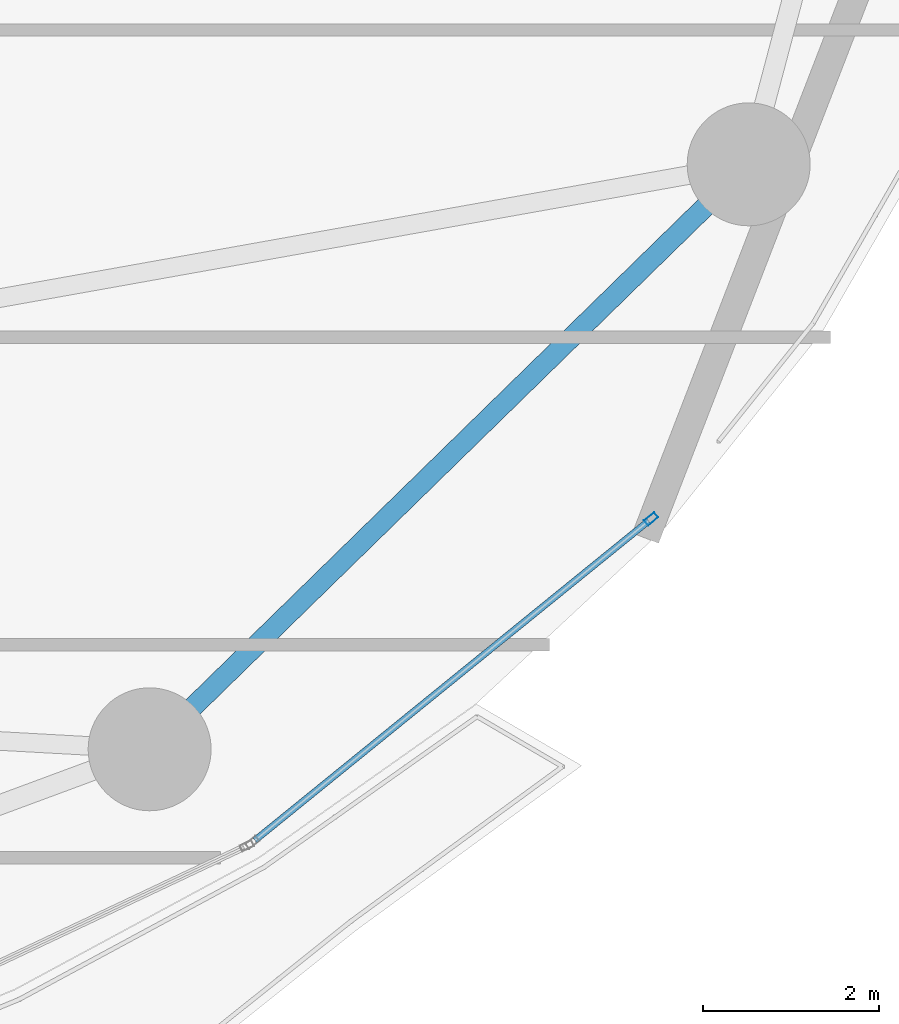
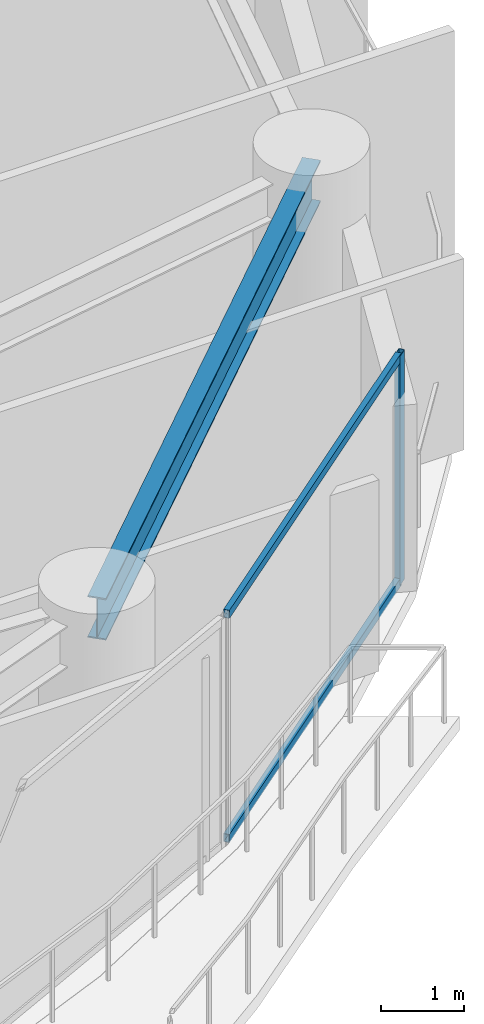
# One storey, part 15 of 31: 3 members, 1 beam, 1 element without a shape of its own.
"""IFC4 building model written with IfcOpenShell, lengths in metres."""

from ifc_helpers import new_model, si_unit, direction, frame, origin, origin_2d, place, context, subcontext, project, spatial, hollow_rectangle, i_section, extrude, material, layer, layer_set, material_profile, profile_set, type_object, element, aggregate, save


model = new_model("IFC4")

# Units and contexts
model_context = context("Model", 3, precision=1e-05, world=origin(), true_north=direction((0.0, 1.0)))
body_context = subcontext(model_context, "Body", "Model", "MODEL_VIEW")
ifc_project = project(units=[si_unit("LENGTHUNIT", "METRE"), si_unit("AREAUNIT", "SQUARE_METRE"), si_unit("VOLUMEUNIT", "CUBIC_METRE"), si_unit("PLANEANGLEUNIT", "RADIAN"), si_unit("MASSUNIT", "GRAM", prefix="KILO")], contexts=[model_context])

# Site, building, storey
site_placement = place(None, origin())
site = spatial("IfcSite", under=ifc_project, at=site_placement, CompositionType="ELEMENT")
building_placement = place(site_placement, origin())
building = spatial("IfcBuilding", under=site, at=building_placement, Name="Kazevale Care Tower and Concert Hall", CompositionType="ELEMENT")
storey_placement = place(building_placement, frame((0.0, 0.0, 78.0)))
storey = spatial("IfcBuildingStorey", under=building, at=storey_placement, Name="L20", CompositionType="ELEMENT", Elevation=78.0)

# Curtain wall, members
ifc_material_1 = material(Name="Aluminium 6063-T6 and Low-E Glass", Category="aluminium")
ifc_layer = layer(ifc_material_1, 0.179931640625)
ifc_layer_set = layer_set([ifc_layer], Name="Aluminium 6063-T6 and Low-E Glass")
curtain_wall_type = type_object("IfcCurtainWallType", Name="Sheltered Concave Balcony Curtain Wall CW-5", PredefinedType="NOTDEFINED", material=ifc_layer_set)
curtain_wall_placement = place(storey_placement, origin())
curtain_wall = element("IfcCurtainWall", 1, at=curtain_wall_placement, inside=storey, type_object=curtain_wall_type, Name="cw:L20:f02", PredefinedType="NOTDEFINED")
ifc_material_2 = material(Name="Aluminium 6063-T6", Category="aluminium")
ifc_material_profile_1 = material_profile(ifc_material_2, hollow_rectangle(XDim=0.074951171875, YDim=0.14990234375, WallThickness=0.00390625, at=origin_2d()), Name="ALU75x150x4")
ifc_profile_set_1 = profile_set([ifc_material_profile_1], Name="Aluminium 6063-T6")
member_type_1 = type_object("IfcMemberType", Name="CW-5 Mullion ALU75x150x4", PredefinedType="MULLION", material=ifc_profile_set_1)
member_1_placement = place(storey_placement, frame((72.949951171875, 24.933349609375, 0.0), z_axis=(0.0, 0.0, 1.0), x_axis=(0.629994732952, -0.77659940539, 0.0)))
member_1 = element("IfcMember", 2, at=member_1_placement, type_object=member_type_1, Name="CW-5 mullion 1", PredefinedType="MULLION", context=body_context, shape_type="SweptSolid", body=[
    extrude(hollow_rectangle(XDim=0.074951171875, YDim=0.14990234375, WallThickness=0.00390625, at=origin_2d()), origin(), (0.0, 0.0, 1.0), 3.360107421875),
])
ifc_material_profile_2 = material_profile(ifc_material_2, hollow_rectangle(XDim=0.074951171875, YDim=0.1201171875, WallThickness=0.00390625, at=origin_2d()), Name="ALU75x120x4")
ifc_profile_set_2 = profile_set([ifc_material_profile_2], Name="Aluminium 6063-T6")
member_type_2 = type_object("IfcMemberType", Name="CW-5 Transom ALU75x120x4", PredefinedType="USERDEFINED", material=ifc_profile_set_2)
member_2_placement = place(storey_placement, frame((72.920654296875, 24.90966796875, 0.03759765625), z_axis=(-0.77659518273, -0.629999938223, 0.0), x_axis=(0.629999938223, -0.77659518273, 0.0)))
member_2 = element("IfcMember", 3, at=member_2_placement, type_object=member_type_2, Name="CW-5 transom 1.1", ObjectType="TRANSOM", PredefinedType="USERDEFINED", context=body_context, shape_type="SweptSolid", body=[
    extrude(hollow_rectangle(XDim=0.074951171875, YDim=0.1201171875, WallThickness=0.00390625, at=origin_2d()), origin(), (0.0, 0.0, 1.0), 5.770751953125),
])
member_3_placement = place(storey_placement, frame((72.920654296875, 24.90966796875, 3.322509765625), z_axis=(-0.77659518273, -0.629999938223, 0.0), x_axis=(0.629999938223, -0.77659518273, 0.0)))
member_3 = element("IfcMember", 4, at=member_3_placement, type_object=member_type_2, Name="CW-5 transom 1.2", ObjectType="TRANSOM", PredefinedType="USERDEFINED", context=body_context, shape_type="SweptSolid", body=[
    extrude(hollow_rectangle(XDim=0.074951171875, YDim=0.1201171875, WallThickness=0.00390625, at=origin_2d()), origin(), (0.0, 0.0, 1.0), 5.770751953125),
])
aggregate(curtain_wall, [member_1, member_2, member_3])

# Beam
ifc_material_3 = material(Name="Steel ASTM A572 Gr 50", Category="steel")
ifc_material_profile_3 = material_profile(ifc_material_3, i_section(OverallWidth=0.22900390625, OverallDepth=0.612060546875, WebThickness=0.011962890625, FlangeThickness=0.01953125, at=origin_2d()), Name="W610x125")
ifc_profile_set_3 = profile_set([ifc_material_profile_3], Name="Steel ASTM A572 Gr 50")
beam_type = type_object("IfcBeamType", Name="Ring Spandrel Beam W610x125", PredefinedType="SPANDREL", material=ifc_profile_set_3)
beam_placement = place(storey_placement, frame((67.239990234375, 22.31005859375, 3.053955078125), z_axis=(0.715457453508, 0.698656304788, 0.0), x_axis=(-0.698656304788, 0.715457453508, 0.0)))
element("IfcBeam", 5, at=beam_placement, inside=storey, type_object=beam_type, Name="beam:L20:ring:15", PredefinedType="SPANDREL", context=body_context, shape_type="SweptSolid", body=[
    extrude(i_section(OverallWidth=0.22900390625, OverallDepth=0.612060546875, WebThickness=0.011962890625, FlangeThickness=0.01953125, at=origin_2d()), origin(), (0.0, 0.0, 1.0), 9.532470703125),
])

save(model, "model.ifc")
